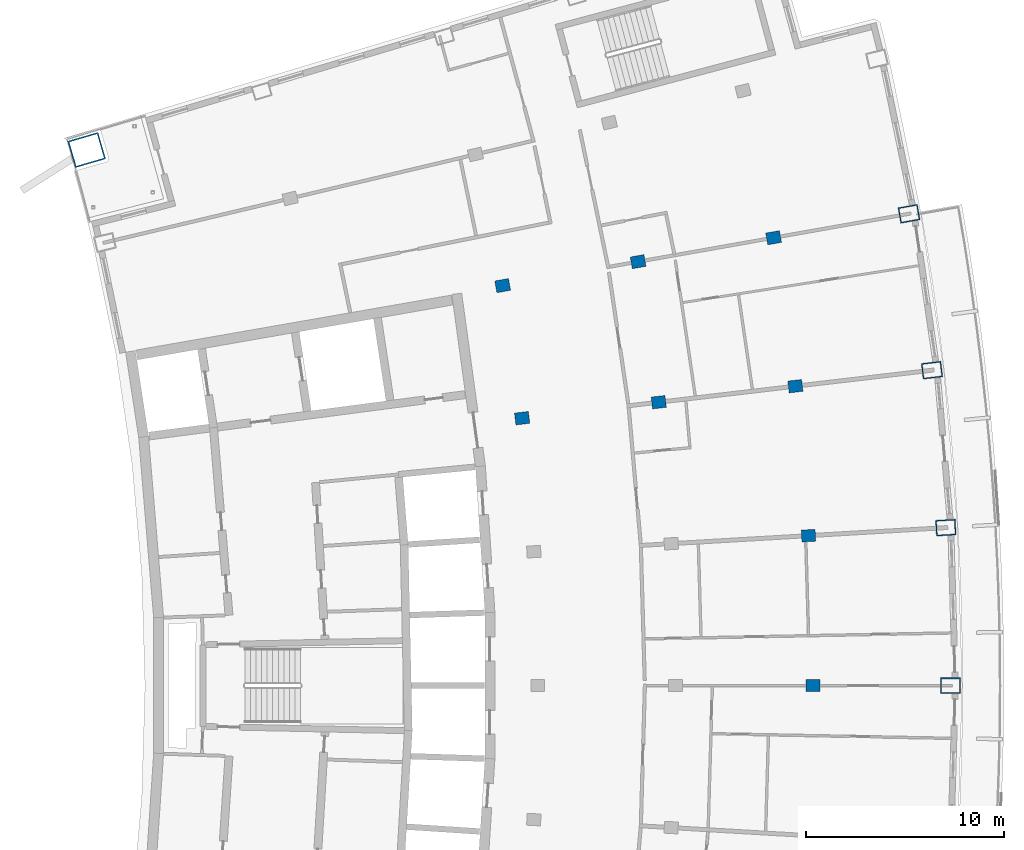
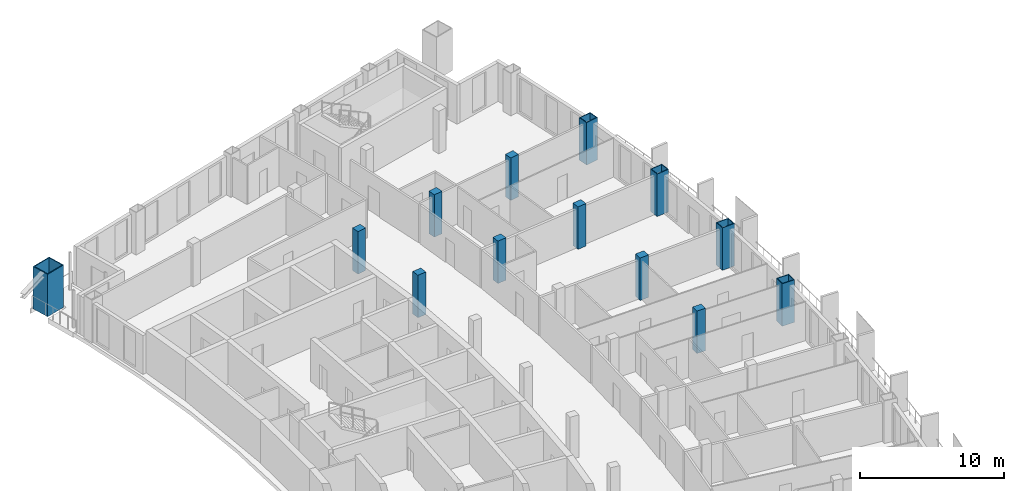
# One storey, part 4 of 17: 13 columns.
"""IFC4 building model written with IfcOpenShell, lengths in metres."""

from ifc_helpers import new_model, si_unit, direction, frame, origin, origin_2d, place, context, subcontext, project, spatial, rectangle, hollow_rectangle, extrude, material, material_profile, profile_set, type_object, element, save


model = new_model("IFC4")

# Units and contexts
model_context = context("Model", 3, precision=1e-05, world=origin(), true_north=direction((0.0, 1.0)))
body_context = subcontext(model_context, "Body", "Model", "MODEL_VIEW")
ifc_project = project(units=[si_unit("LENGTHUNIT", "METRE"), si_unit("AREAUNIT", "SQUARE_METRE"), si_unit("VOLUMEUNIT", "CUBIC_METRE"), si_unit("PLANEANGLEUNIT", "RADIAN"), si_unit("MASSUNIT", "GRAM", prefix="KILO")], contexts=[model_context])

# Site, building, storey
site_placement = place(None, origin())
site = spatial("IfcSite", under=ifc_project, at=site_placement, CompositionType="ELEMENT")
building_placement = place(site_placement, origin())
building = spatial("IfcBuilding", under=site, at=building_placement, Name="Alderwake Tower", CompositionType="ELEMENT")
storey_placement = place(building_placement, frame((0.0, 0.0, 260.0)))
storey = spatial("IfcBuildingStorey", under=building, at=storey_placement, Name="L64", CompositionType="ELEMENT", Elevation=260.0)

# Columns
ifc_material_1 = material(Name="Concrete C70/85", Category="concrete")
ifc_material_profile_1 = material_profile(ifc_material_1, rectangle(XDim=0.60009765625, YDim=0.699951171875, at=origin_2d()), Name="RC 700X600")
ifc_profile_set_1 = profile_set([ifc_material_profile_1], Name="Concrete C70/85")
column_type_1 = type_object("IfcColumnType", Name="Interior column Z5", PredefinedType="COLUMN", material=ifc_profile_set_1)
for number, where, z_axis, x_axis, name in (
    (1, (49.666748046875, 61.0, 0.0), (0.0, 0.0, 1.0), (0.0, 1.0, 0.0), "Column R07-C4"),
    (2, (49.446044921875, 68.5595703125, 0.0), (0.0, 0.0, 1.0), (-0.058301061284, 0.998299046505, 0.0), "Column R08-C4"),
    (3, (35.0126953125, 74.4794921875, 0.0), (0.0, 0.0, 1.0), (-0.116402054316, 0.993202175668, 0.0), "Column R09-C2"),
    (4, (41.89892578125, 75.286376953125, 0.0), (0.0, 0.0, 1.0), (-0.116402054316, 0.993202175668, 0.0), "Column R09-C3"),
    (5, (48.78515625, 76.093505859375, 0.0), (0.0, 0.0, 1.0), (-0.116402054316, 0.993202175668, 0.0), "Column R09-C4"),
    (6, (34.03125, 81.16162109375, 0.0), (0.0, 0.0, 1.0), (-0.174108800747, 0.984726421654, 0.0), "Column R10-C2"),
    (7, (40.858642578125, 82.368896484375, 0.0), (0.0, 0.0, 1.0), (-0.174108800747, 0.984726421654, 0.0), "Column R10-C3"),
    (8, (47.686279296875, 83.575927734375, 0.0), (0.0, 0.0, 1.0), (-0.174108800747, 0.984726421654, 0.0), "Column R10-C4"),
):
    element("IfcColumn", number, at=place(storey_placement, frame(where, z_axis=z_axis, x_axis=x_axis)), inside=storey, type_object=column_type_1, Name=name, PredefinedType="COLUMN", context=body_context, shape_type="SweptSolid", body=[
        extrude(rectangle(XDim=0.60009765625, YDim=0.699951171875, at=origin_2d()), origin(), (0.0, 0.0, 1.0), 3.60009765625),
    ])
ifc_material_2 = material(Name="Steel ASTM A572 Grade 50 concrete filled C70/85", Category="concrete")
ifc_material_profile_2 = material_profile(ifc_material_2, hollow_rectangle(XDim=1.39990234375, YDim=1.60009765625, WallThickness=0.070068359375, at=origin_2d()), Name="BOX 1600X1400X70")
ifc_profile_set_2 = profile_set([ifc_material_profile_2], Name="Steel ASTM A572 Grade 50 concrete filled C70/85")
column_type_2 = type_object("IfcColumnType", Name="Mega column Z5", PredefinedType="COLUMN", material=ifc_profile_set_2)
column_placement = place(storey_placement, frame((13.06298828125, 87.99755859375, 0.0), z_axis=(0.0, 0.0, 1.0), x_axis=(-0.278612301868, 0.960403657452, 0.0)))
element("IfcColumn", 9, at=column_placement, inside=storey, type_object=column_type_2, Name="Column R12-C0", PredefinedType="COLUMN", context=body_context, shape_type="SweptSolid", body=[
    extrude(hollow_rectangle(XDim=1.39990234375, YDim=1.60009765625, WallThickness=0.070068359375, at=origin_2d()), origin(), (0.0, 0.0, 1.0), 3.60009765625),
])
ifc_material_3 = material(Name="Steel ASTM A572 Grade 50 concrete filled C70/85", Category="concrete")
ifc_material_profile_3 = material_profile(ifc_material_3, hollow_rectangle(XDim=0.800048828125, YDim=1.0, WallThickness=0.054931640625, at=origin_2d()), Name="BOX 1000X800X55")
ifc_profile_set_3 = profile_set([ifc_material_profile_3], Name="Steel ASTM A572 Grade 50 concrete filled C70/85")
column_type_3 = type_object("IfcColumnType", Name="Perimeter column Z5", PredefinedType="COLUMN", material=ifc_profile_set_3)
for number, where, z_axis, x_axis, name in (
    (10, (56.60009765625, 61.0, 0.0), (0.0, 0.0, 1.0), (0.0, 1.0, 0.0), "Column R07-C5"),
    (11, (56.36767578125, 68.9638671875, 0.0), (0.0, 0.0, 1.0), (-0.058299318924, 0.998299148258, 0.0), "Column R08-C5"),
    (12, (55.67138671875, 76.900390625, 0.0), (0.0, 0.0, 1.0), (-0.116402054316, 0.993202175668, 0.0), "Column R09-C5"),
    (13, (54.513671875, 84.783203125, 0.0), (0.0, 0.0, 1.0), (-0.174108800747, 0.984726421654, 0.0), "Column R10-C5"),
):
    element("IfcColumn", number, at=place(storey_placement, frame(where, z_axis=z_axis, x_axis=x_axis)), inside=storey, type_object=column_type_3, Name=name, PredefinedType="COLUMN", context=body_context, shape_type="SweptSolid", body=[
        extrude(hollow_rectangle(XDim=0.800048828125, YDim=1.0, WallThickness=0.054931640625, at=origin_2d()), origin(), (0.0, 0.0, 1.0), 3.60009765625),
    ])

save(model, "model.ifc")
